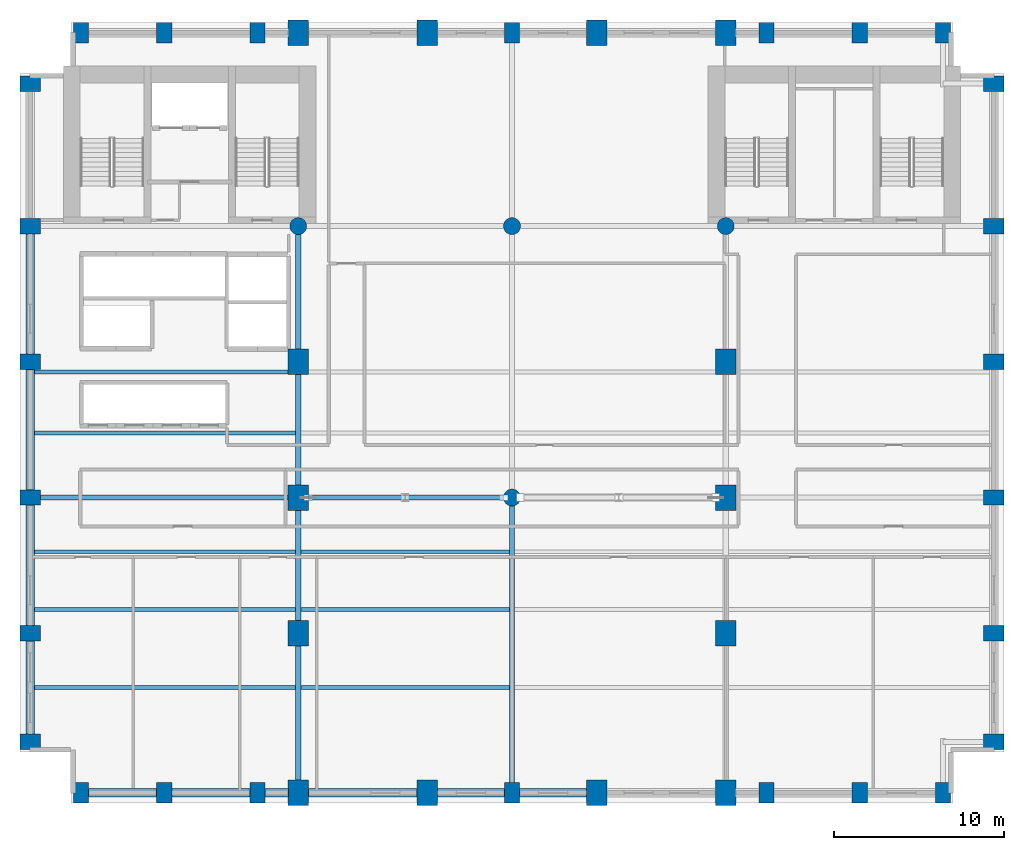
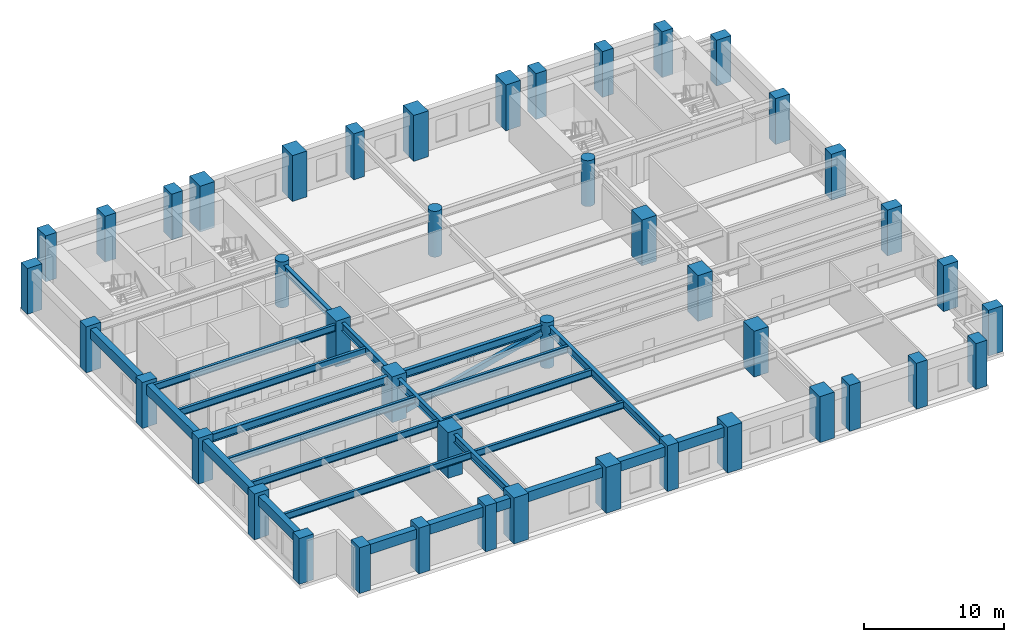
# One storey, part 1 of 10: 44 columns, 23 beams, 1 member.
"""IFC4 building model written with IfcOpenShell, lengths in metres."""

from ifc_helpers import new_model, si_unit, direction, frame, origin, origin_2d, place, context, subcontext, project, spatial, rectangle, hollow_rectangle, circle, i_section, extrude, material, material_profile, profile_set, type_object, element, save


model = new_model("IFC4")

# Units and contexts
model_context = context("Model", 3, precision=1e-05, world=origin(), true_north=direction((0.0, 1.0)))
body_context = subcontext(model_context, "Body", "Model", "MODEL_VIEW")
ifc_project = project(units=[si_unit("LENGTHUNIT", "METRE"), si_unit("AREAUNIT", "SQUARE_METRE"), si_unit("VOLUMEUNIT", "CUBIC_METRE"), si_unit("PLANEANGLEUNIT", "RADIAN"), si_unit("MASSUNIT", "GRAM", prefix="KILO")], contexts=[model_context])

# Site, building, storey
site_placement = place(None, origin())
site = spatial("IfcSite", under=ifc_project, at=site_placement, CompositionType="ELEMENT")
building_placement = place(site_placement, origin())
building = spatial("IfcBuilding", under=site, at=building_placement, Name="Sulina Concourse Tower", CompositionType="ELEMENT")
storey_placement = place(building_placement, frame((0.0, 0.0, 54.60009765625)))
storey = spatial("IfcBuildingStorey", under=building, at=storey_placement, Name="L13", CompositionType="ELEMENT", Elevation=54.60009765625)

# Columns
ifc_material_1 = material(Name="Concrete C60/75", Category="concrete")
ifc_material_profile_1 = material_profile(ifc_material_1, circle(Radius=0.5, at=origin_2d()), Name="RC D1000")
ifc_profile_set_1 = profile_set([ifc_material_profile_1], Name="Concrete C60/75")
column_type_1 = type_object("IfcColumnType", Name="Lower Interior Circular Column D1000", PredefinedType="COLUMN", material=ifc_profile_set_1)
for number, where, z_axis, x_axis, name in (
    (1, (16.39990234375, 34.0, 0.0), (0.0, 0.0, 1.0), (1.0, 0.0, 0.0), "L13 structural column IC-N-164"),
    (2, (29.0, 18.0, 0.0), (0.0, 0.0, 1.0), (1.0, 0.0, 0.0), "L13 structural column IC-M-290"),
    (3, (29.0, 34.0, 0.0), (0.0, 0.0, 1.0), (1.0, 0.0, 0.0), "L13 structural column IC-N-290"),
    (4, (41.60009765625, 34.0, 0.0), (0.0, 0.0, 1.0), (1.0, 0.0, 0.0), "L13 structural column IC-N-416"),
):
    element("IfcColumn", number, at=place(storey_placement, frame(where, z_axis=z_axis, x_axis=x_axis)), inside=storey, type_object=column_type_1, Name=name, PredefinedType="COLUMN", context=body_context, shape_type="SweptSolid", body=[
        extrude(circle(Radius=0.5, at=origin_2d()), origin(), (0.0, 0.0, 1.0), 4.0),
    ])
ifc_material_2 = material(Name="Concrete C80/95", Category="concrete")
ifc_material_profile_2 = material_profile(ifc_material_2, rectangle(XDim=1.199951171875, YDim=1.5, at=origin_2d()), Name="RC 1200x1500")
ifc_profile_set_2 = profile_set([ifc_material_profile_2], Name="Concrete C80/95")
column_type_2 = type_object("IfcColumnType", Name="Lower Portal End-Leg Column 1200x1500", PredefinedType="COLUMN", material=ifc_profile_set_2)
for number, where, z_axis, x_axis, name in (
    (5, (16.39990234375, 0.60009765625, 0.0), (0.0, 0.0, 1.0), (1.0, 0.0, 0.0), "L13 structural column TP-S-164"),
    (6, (16.39990234375, 45.39990234375, 0.0), (0.0, 0.0, 1.0), (1.0, 0.0, 0.0), "L13 structural column TP-N-164"),
    (7, (24.0, 0.60009765625, 0.0), (0.0, 0.0, 1.0), (1.0, 0.0, 0.0), "L13 structural column TP-S-240"),
    (8, (24.0, 45.39990234375, 0.0), (0.0, 0.0, 1.0), (1.0, 0.0, 0.0), "L13 structural column TP-N-240"),
    (9, (34.0, 0.60009765625, 0.0), (0.0, 0.0, 1.0), (1.0, 0.0, 0.0), "L13 structural column TP-S-340"),
    (10, (34.0, 45.39990234375, 0.0), (0.0, 0.0, 1.0), (1.0, 0.0, 0.0), "L13 structural column TP-N-340"),
    (11, (41.60009765625, 0.60009765625, 0.0), (0.0, 0.0, 1.0), (1.0, 0.0, 0.0), "L13 structural column TP-S-416"),
    (12, (41.60009765625, 45.39990234375, 0.0), (0.0, 0.0, 1.0), (1.0, 0.0, 0.0), "L13 structural column TP-N-416"),
    (13, (16.39990234375, 10.0, 0.0), (0.0, 0.0, 1.0), (1.0, 0.0, 0.0), "L13 structural column LP-FW-10"),
    (14, (41.60009765625, 10.0, 0.0), (0.0, 0.0, 1.0), (1.0, 0.0, 0.0), "L13 structural column LP-FE-10"),
    (15, (16.39990234375, 18.0, 0.0), (0.0, 0.0, 1.0), (1.0, 0.0, 0.0), "L13 structural column LP-FW-18"),
    (16, (41.60009765625, 18.0, 0.0), (0.0, 0.0, 1.0), (1.0, 0.0, 0.0), "L13 structural column LP-FE-18"),
    (17, (16.39990234375, 26.0, 0.0), (0.0, 0.0, 1.0), (1.0, 0.0, 0.0), "L13 structural column LP-FW-26"),
    (18, (41.60009765625, 26.0, 0.0), (0.0, 0.0, 1.0), (1.0, 0.0, 0.0), "L13 structural column LP-FE-26"),
):
    element("IfcColumn", number, at=place(storey_placement, frame(where, z_axis=z_axis, x_axis=x_axis)), inside=storey, type_object=column_type_2, Name=name, PredefinedType="COLUMN", context=body_context, shape_type="SweptSolid", body=[
        extrude(rectangle(XDim=1.199951171875, YDim=1.5, at=origin_2d()), origin(), (0.0, 0.0, 1.0), 4.0),
    ])
ifc_material_3 = material(Name="Precast concrete C60/75", Category="concrete")
ifc_material_profile_3 = material_profile(ifc_material_3, rectangle(XDim=0.89990234375, YDim=1.199951171875, at=origin_2d()), Name="PC 900x1200")
ifc_profile_set_3 = profile_set([ifc_material_profile_3], Name="Precast concrete C60/75")
column_type_3 = type_object("IfcColumnType", Name="Precast Tube Pier Zone 1 900x1200", PredefinedType="COLUMN", material=ifc_profile_set_3)
for number, where, z_axis, x_axis, name in (
    (19, (3.60009765625, 0.60009765625, 0.0), (0.0, 0.0, 1.0), (1.0, 0.0, 0.0), "L13 structural column TP-S-36"),
    (20, (3.60009765625, 45.39990234375, 0.0), (0.0, 0.0, 1.0), (1.0, 0.0, 0.0), "L13 structural column TP-N-36"),
    (21, (8.5, 0.60009765625, 0.0), (0.0, 0.0, 1.0), (1.0, 0.0, 0.0), "L13 structural column TP-S-85"),
    (22, (8.5, 45.39990234375, 0.0), (0.0, 0.0, 1.0), (1.0, 0.0, 0.0), "L13 structural column TP-N-85"),
    (23, (14.0, 0.60009765625, 0.0), (0.0, 0.0, 1.0), (1.0, 0.0, 0.0), "L13 structural column TP-S-140"),
    (24, (14.0, 45.39990234375, 0.0), (0.0, 0.0, 1.0), (1.0, 0.0, 0.0), "L13 structural column TP-N-140"),
    (25, (29.0, 0.60009765625, 0.0), (0.0, 0.0, 1.0), (1.0, 0.0, 0.0), "L13 structural column TP-S-290"),
    (26, (29.0, 45.39990234375, 0.0), (0.0, 0.0, 1.0), (1.0, 0.0, 0.0), "L13 structural column TP-N-290"),
    (27, (44.0, 0.60009765625, 0.0), (0.0, 0.0, 1.0), (1.0, 0.0, 0.0), "L13 structural column TP-S-440"),
    (28, (44.0, 45.39990234375, 0.0), (0.0, 0.0, 1.0), (1.0, 0.0, 0.0), "L13 structural column TP-N-440"),
    (29, (49.5, 0.60009765625, 0.0), (0.0, 0.0, 1.0), (1.0, 0.0, 0.0), "L13 structural column TP-S-495"),
    (30, (49.5, 45.39990234375, 0.0), (0.0, 0.0, 1.0), (1.0, 0.0, 0.0), "L13 structural column TP-N-495"),
    (31, (54.39990234375, 0.60009765625, 0.0), (0.0, 0.0, 1.0), (1.0, 0.0, 0.0), "L13 structural column TP-S-544"),
    (32, (54.39990234375, 45.39990234375, 0.0), (0.0, 0.0, 1.0), (1.0, 0.0, 0.0), "L13 structural column TP-N-544"),
    (33, (0.60009765625, 3.60009765625, 0.0), (0.0, 0.0, 1.0), (0.0, 1.0, 0.0), "L13 structural column TP-W-36"),
    (34, (57.39990234375, 3.60009765625, 0.0), (0.0, 0.0, 1.0), (0.0, 1.0, 0.0), "L13 structural column TP-E-36"),
    (35, (0.60009765625, 10.0, 0.0), (0.0, 0.0, 1.0), (0.0, 1.0, 0.0), "L13 structural column TP-W-100"),
    (36, (57.39990234375, 10.0, 0.0), (0.0, 0.0, 1.0), (0.0, 1.0, 0.0), "L13 structural column TP-E-100"),
    (37, (0.60009765625, 18.0, 0.0), (0.0, 0.0, 1.0), (0.0, 1.0, 0.0), "L13 structural column TP-W-180"),
    (38, (57.39990234375, 18.0, 0.0), (0.0, 0.0, 1.0), (0.0, 1.0, 0.0), "L13 structural column TP-E-180"),
    (39, (0.60009765625, 26.0, 0.0), (0.0, 0.0, 1.0), (0.0, 1.0, 0.0), "L13 structural column TP-W-260"),
    (40, (57.39990234375, 26.0, 0.0), (0.0, 0.0, 1.0), (0.0, 1.0, 0.0), "L13 structural column TP-E-260"),
    (41, (0.60009765625, 34.0, 0.0), (0.0, 0.0, 1.0), (0.0, 1.0, 0.0), "L13 structural column TP-W-340"),
    (42, (57.39990234375, 34.0, 0.0), (0.0, 0.0, 1.0), (0.0, 1.0, 0.0), "L13 structural column TP-E-340"),
    (43, (0.60009765625, 42.39990234375, 0.0), (0.0, 0.0, 1.0), (0.0, 1.0, 0.0), "L13 structural column TP-W-424"),
    (44, (57.39990234375, 42.39990234375, 0.0), (0.0, 0.0, 1.0), (0.0, 1.0, 0.0), "L13 structural column TP-E-424"),
):
    element("IfcColumn", number, at=place(storey_placement, frame(where, z_axis=z_axis, x_axis=x_axis)), inside=storey, type_object=column_type_3, Name=name, PredefinedType="COLUMN", context=body_context, shape_type="SweptSolid", body=[
        extrude(rectangle(XDim=0.89990234375, YDim=1.199951171875, at=origin_2d()), origin(), (0.0, 0.0, 1.0), 4.0),
    ])

# Beams
ifc_material_4 = material(Name="Steel S355", Category="steel")
ifc_material_profile_4 = material_profile(ifc_material_4, i_section(OverallWidth=0.219970703125, OverallDepth=0.60009765625, WebThickness=0.011962890625, FlangeThickness=0.01904296875, at=origin_2d()), Name="IPE 600")
ifc_profile_set_4 = profile_set([ifc_material_profile_4], Name="Steel S355")
beam_type_1 = type_object("IfcBeamType", Name="Composite Floor Joist IPE600", PredefinedType="JOIST", material=ifc_profile_set_4)
beam_1_placement = place(storey_placement, frame((0.85009765625, 6.800048828125, 3.39990234375), z_axis=(1.0, 0.0, 0.0), x_axis=(0.0, 1.0, 0.0)))
element("IfcBeam", 45, at=beam_1_placement, inside=storey, type_object=beam_type_1, Name="FJ-J06-1-L13", PredefinedType="JOIST", context=body_context, shape_type="SweptSolid", body=[
    extrude(i_section(OverallWidth=0.219970703125, OverallDepth=0.60009765625, WebThickness=0.011962890625, FlangeThickness=0.01904296875, at=origin_2d()), origin(), (0.0, 0.0, 1.0), 15.39990234375),
])
beam_2_placement = place(storey_placement, frame((16.550048828125, 6.800048828125, 3.39990234375), z_axis=(1.0, 0.0, 0.0), x_axis=(0.0, 1.0, 0.0)))
element("IfcBeam", 46, at=beam_2_placement, inside=storey, type_object=beam_type_1, Name="FJ-J06-2-L13", PredefinedType="JOIST", context=body_context, shape_type="SweptSolid", body=[
    extrude(i_section(OverallWidth=0.219970703125, OverallDepth=0.60009765625, WebThickness=0.011962890625, FlangeThickness=0.01904296875, at=origin_2d()), origin(), (0.0, 0.0, 1.0), 12.300048828125),
])
beam_3_placement = place(storey_placement, frame((0.85009765625, 11.39990234375, 3.39990234375), z_axis=(1.0, 0.0, 0.0), x_axis=(0.0, 1.0, 0.0)))
element("IfcBeam", 47, at=beam_3_placement, inside=storey, type_object=beam_type_1, Name="FJ-J11-1-L13", PredefinedType="JOIST", context=body_context, shape_type="SweptSolid", body=[
    extrude(i_section(OverallWidth=0.219970703125, OverallDepth=0.60009765625, WebThickness=0.011962890625, FlangeThickness=0.01904296875, at=origin_2d()), origin(), (0.0, 0.0, 1.0), 15.39990234375),
])
beam_4_placement = place(storey_placement, frame((16.550048828125, 11.39990234375, 3.39990234375), z_axis=(1.0, 0.0, 0.0), x_axis=(0.0, 1.0, 0.0)))
element("IfcBeam", 48, at=beam_4_placement, inside=storey, type_object=beam_type_1, Name="FJ-J11-2-L13", PredefinedType="JOIST", context=body_context, shape_type="SweptSolid", body=[
    extrude(i_section(OverallWidth=0.219970703125, OverallDepth=0.60009765625, WebThickness=0.011962890625, FlangeThickness=0.01904296875, at=origin_2d()), origin(), (0.0, 0.0, 1.0), 12.300048828125),
])
beam_5_placement = place(storey_placement, frame((0.85009765625, 14.800048828125, 3.39990234375), z_axis=(1.0, 0.0, 0.0), x_axis=(0.0, 1.0, 0.0)))
element("IfcBeam", 49, at=beam_5_placement, inside=storey, type_object=beam_type_1, Name="FJ-J15-1-L13", PredefinedType="JOIST", context=body_context, shape_type="SweptSolid", body=[
    extrude(i_section(OverallWidth=0.219970703125, OverallDepth=0.60009765625, WebThickness=0.011962890625, FlangeThickness=0.01904296875, at=origin_2d()), origin(), (0.0, 0.0, 1.0), 15.39990234375),
])
beam_6_placement = place(storey_placement, frame((16.550048828125, 14.800048828125, 3.39990234375), z_axis=(1.0, 0.0, 0.0), x_axis=(0.0, 1.0, 0.0)))
element("IfcBeam", 50, at=beam_6_placement, inside=storey, type_object=beam_type_1, Name="FJ-J15-2-L13", PredefinedType="JOIST", context=body_context, shape_type="SweptSolid", body=[
    extrude(i_section(OverallWidth=0.219970703125, OverallDepth=0.60009765625, WebThickness=0.011962890625, FlangeThickness=0.01904296875, at=origin_2d()), origin(), (0.0, 0.0, 1.0), 12.300048828125),
])
for number, where, z_axis, x_axis, name in (
    (51, (0.85009765625, 21.800048828125, 3.39990234375), (1.0, 0.0, 0.0), (0.0, 1.0, 0.0), "FJ-J22-1-L13"),
    (52, (0.85009765625, 25.39990234375, 3.39990234375), (1.0, 0.0, 0.0), (0.0, 1.0, 0.0), "FJ-J25-1-L13"),
):
    element("IfcBeam", number, at=place(storey_placement, frame(where, z_axis=z_axis, x_axis=x_axis)), inside=storey, type_object=beam_type_1, Name=name, PredefinedType="JOIST", context=body_context, shape_type="SweptSolid", body=[
        extrude(i_section(OverallWidth=0.219970703125, OverallDepth=0.60009765625, WebThickness=0.011962890625, FlangeThickness=0.01904296875, at=origin_2d()), origin(), (0.0, 0.0, 1.0), 15.39990234375),
    ])
ifc_material_5 = material(Name="Steel S355", Category="steel")
ifc_material_profile_5 = material_profile(ifc_material_5, i_section(OverallWidth=0.300048828125, OverallDepth=0.699951171875, WebThickness=0.01708984375, FlangeThickness=0.031982421875, at=origin_2d()), Name="HE 700 B")
ifc_profile_set_5 = profile_set([ifc_material_profile_5], Name="Steel S355")
beam_type_2 = type_object("IfcBeamType", Name="Floor Primary Girder Zone 1 HE700B", PredefinedType="BEAM", material=ifc_profile_set_5)
beam_7_placement = place(storey_placement, frame((1.030029296875, 18.0, 3.349853515625), z_axis=(1.0, 0.0, 0.0), x_axis=(0.0, 1.0, 0.0)))
element("IfcBeam", 53, at=beam_7_placement, inside=storey, type_object=beam_type_2, Name="FG-EW1-L13", PredefinedType="BEAM", context=body_context, shape_type="SweptSolid", body=[
    extrude(i_section(OverallWidth=0.300048828125, OverallDepth=0.699951171875, WebThickness=0.01708984375, FlangeThickness=0.031982421875, at=origin_2d()), origin(), (0.0, 0.0, 1.0), 14.7900390625),
])
beam_8_placement = place(storey_placement, frame((16.97998046875, 18.0, 3.349853515625), z_axis=(1.0, 0.0, 0.0), x_axis=(0.0, 1.0, 0.0)))
element("IfcBeam", 54, at=beam_8_placement, inside=storey, type_object=beam_type_2, Name="FG-EW2-L13", PredefinedType="BEAM", context=body_context, shape_type="SweptSolid", body=[
    extrude(i_section(OverallWidth=0.300048828125, OverallDepth=0.699951171875, WebThickness=0.01708984375, FlangeThickness=0.031982421875, at=origin_2d()), origin(), (0.0, 0.0, 1.0), 11.5400390625),
])
beam_9_placement = place(storey_placement, frame((16.39990234375, 1.179931640625, 3.349853515625), z_axis=(0.0, 1.0, 0.0), x_axis=(-1.0, 0.0, 0.0)))
element("IfcBeam", 55, at=beam_9_placement, inside=storey, type_object=beam_type_2, Name="FG-NSA-16-L13", PredefinedType="BEAM", context=body_context, shape_type="SweptSolid", body=[
    extrude(i_section(OverallWidth=0.300048828125, OverallDepth=0.699951171875, WebThickness=0.01708984375, FlangeThickness=0.031982421875, at=origin_2d()), origin(), (0.0, 0.0, 1.0), 16.239990234375),
])
beam_10_placement = place(storey_placement, frame((16.39990234375, 18.580078125, 3.349853515625), z_axis=(0.0, 1.0, 0.0), x_axis=(-1.0, 0.0, 0.0)))
element("IfcBeam", 56, at=beam_10_placement, inside=storey, type_object=beam_type_2, Name="FG-NSB-16-L13", PredefinedType="BEAM", context=body_context, shape_type="SweptSolid", body=[
    extrude(i_section(OverallWidth=0.300048828125, OverallDepth=0.699951171875, WebThickness=0.01708984375, FlangeThickness=0.031982421875, at=origin_2d()), origin(), (0.0, 0.0, 1.0), 14.93994140625),
])
beam_11_placement = place(storey_placement, frame((29.0, 1.030029296875, 3.349853515625), z_axis=(0.0, 1.0, 0.0), x_axis=(-1.0, 0.0, 0.0)))
element("IfcBeam", 57, at=beam_11_placement, inside=storey, type_object=beam_type_2, Name="FG-NSA-29-L13", PredefinedType="BEAM", context=body_context, shape_type="SweptSolid", body=[
    extrude(i_section(OverallWidth=0.300048828125, OverallDepth=0.699951171875, WebThickness=0.01708984375, FlangeThickness=0.031982421875, at=origin_2d()), origin(), (0.0, 0.0, 1.0), 16.489990234375),
])

# Member
ifc_material_6 = material(Name="Steel S355", Category="steel")
ifc_material_profile_6 = material_profile(ifc_material_6, hollow_rectangle(XDim=0.300048828125, YDim=0.5, WallThickness=0.02001953125, at=origin_2d()), Name="RHS 500x300x20")
ifc_profile_set_6 = profile_set([ifc_material_profile_6], Name="Steel S355")
member_type = type_object("IfcMemberType", Name="Lower Portal Bridge Diagonal RHS500x300x20", PredefinedType="BRACE", material=ifc_profile_set_6)
member_placement = place(storey_placement, frame((16.989990234375, 18.0, 0.119873046875), z_axis=(0.969941447513, 0.0, 0.243338423593), x_axis=(0.0, 1.0, 0.0)))
element("IfcMember", 58, at=member_placement, inside=storey, type_object=member_type, Name="LBT-DG-1-L13", PredefinedType="BRACE", context=body_context, shape_type="SweptSolid", body=[
    extrude(hollow_rectangle(XDim=0.300048828125, YDim=0.5, WallThickness=0.02001953125, at=origin_2d()), origin(), (0.0, 0.0, 1.0), 11.876953125),
])

# Beams
ifc_material_7 = material(Name="Precast concrete C50/60", Category="concrete")
ifc_material_profile_7 = material_profile(ifc_material_7, rectangle(XDim=0.5, YDim=0.85009765625, at=origin_2d()), Name="RC 500x850")
ifc_profile_set_7 = profile_set([ifc_material_profile_7], Name="Precast concrete C50/60")
beam_type_3 = type_object("IfcBeamType", Name="Lower Precast Spandrel Edge Beam 500x850", PredefinedType="BEAM", material=ifc_profile_set_7)
beam_12_placement = place(storey_placement, frame((4.030029296875, 0.60009765625, 3.27490234375), z_axis=(1.0, 0.0, 0.0), x_axis=(0.0, 1.0, 0.0)))
element("IfcBeam", 59, at=beam_12_placement, inside=storey, type_object=beam_type_3, Name="SP-S1-L13", PredefinedType="BEAM", context=body_context, shape_type="SweptSolid", body=[
    extrude(rectangle(XDim=0.5, YDim=0.85009765625, at=origin_2d()), origin(), (0.0, 0.0, 1.0), 4.0400390625),
])
beam_13_placement = place(storey_placement, frame((8.929931640625, 0.60009765625, 3.27490234375), z_axis=(1.0, 0.0, 0.0), x_axis=(0.0, 1.0, 0.0)))
element("IfcBeam", 60, at=beam_13_placement, inside=storey, type_object=beam_type_3, Name="SP-S2-L13", PredefinedType="BEAM", context=body_context, shape_type="SweptSolid", body=[
    extrude(rectangle(XDim=0.5, YDim=0.85009765625, at=origin_2d()), origin(), (0.0, 0.0, 1.0), 4.64013671875),
])
beam_14_placement = place(storey_placement, frame((14.429931640625, 0.60009765625, 3.27490234375), z_axis=(1.0, 0.0, 0.0), x_axis=(0.0, 1.0, 0.0)))
element("IfcBeam", 61, at=beam_14_placement, inside=storey, type_object=beam_type_3, Name="SP-S3-L13", PredefinedType="BEAM", context=body_context, shape_type="SweptSolid", body=[
    extrude(rectangle(XDim=0.5, YDim=0.85009765625, at=origin_2d()), origin(), (0.0, 0.0, 1.0), 1.39013671875),
])
beam_15_placement = place(storey_placement, frame((16.97998046875, 0.60009765625, 3.27490234375), z_axis=(1.0, 0.0, 0.0), x_axis=(0.0, 1.0, 0.0)))
element("IfcBeam", 62, at=beam_15_placement, inside=storey, type_object=beam_type_3, Name="SP-S4-L13", PredefinedType="BEAM", context=body_context, shape_type="SweptSolid", body=[
    extrude(rectangle(XDim=0.5, YDim=0.85009765625, at=origin_2d()), origin(), (0.0, 0.0, 1.0), 6.43994140625),
])
for number, where, z_axis, x_axis, name in (
    (63, (24.580078125, 0.60009765625, 3.27490234375), (1.0, 0.0, 0.0), (0.0, 1.0, 0.0), "SP-S5-L13"),
    (64, (29.429931640625, 0.60009765625, 3.27490234375), (1.0, 0.0, 0.0), (0.0, 1.0, 0.0), "SP-S6-L13"),
):
    element("IfcBeam", number, at=place(storey_placement, frame(where, z_axis=z_axis, x_axis=x_axis)), inside=storey, type_object=beam_type_3, Name=name, PredefinedType="BEAM", context=body_context, shape_type="SweptSolid", body=[
        extrude(rectangle(XDim=0.5, YDim=0.85009765625, at=origin_2d()), origin(), (0.0, 0.0, 1.0), 3.989990234375),
    ])
beam_16_placement = place(storey_placement, frame((0.60009765625, 4.030029296875, 3.27490234375), z_axis=(0.0, 1.0, 0.0), x_axis=(-1.0, 0.0, 0.0)))
element("IfcBeam", 65, at=beam_16_placement, inside=storey, type_object=beam_type_3, Name="SP-W1-L13", PredefinedType="BEAM", context=body_context, shape_type="SweptSolid", body=[
    extrude(rectangle(XDim=0.5, YDim=0.85009765625, at=origin_2d()), origin(), (0.0, 0.0, 1.0), 5.5400390625),
])
for number, where, z_axis, x_axis, name in (
    (66, (0.60009765625, 10.429931640625, 3.27490234375), (0.0, 1.0, 0.0), (-1.0, 0.0, 0.0), "SP-W2-L13"),
    (67, (0.60009765625, 18.429931640625, 3.27490234375), (0.0, 1.0, 0.0), (-1.0, 0.0, 0.0), "SP-W3-L13"),
    (68, (0.60009765625, 26.429931640625, 3.27490234375), (0.0, 1.0, 0.0), (-1.0, 0.0, 0.0), "SP-W4-L13"),
):
    element("IfcBeam", number, at=place(storey_placement, frame(where, z_axis=z_axis, x_axis=x_axis)), inside=storey, type_object=beam_type_3, Name=name, PredefinedType="BEAM", context=body_context, shape_type="SweptSolid", body=[
        extrude(rectangle(XDim=0.5, YDim=0.85009765625, at=origin_2d()), origin(), (0.0, 0.0, 1.0), 7.14013671875),
    ])

save(model, "model.ifc")
